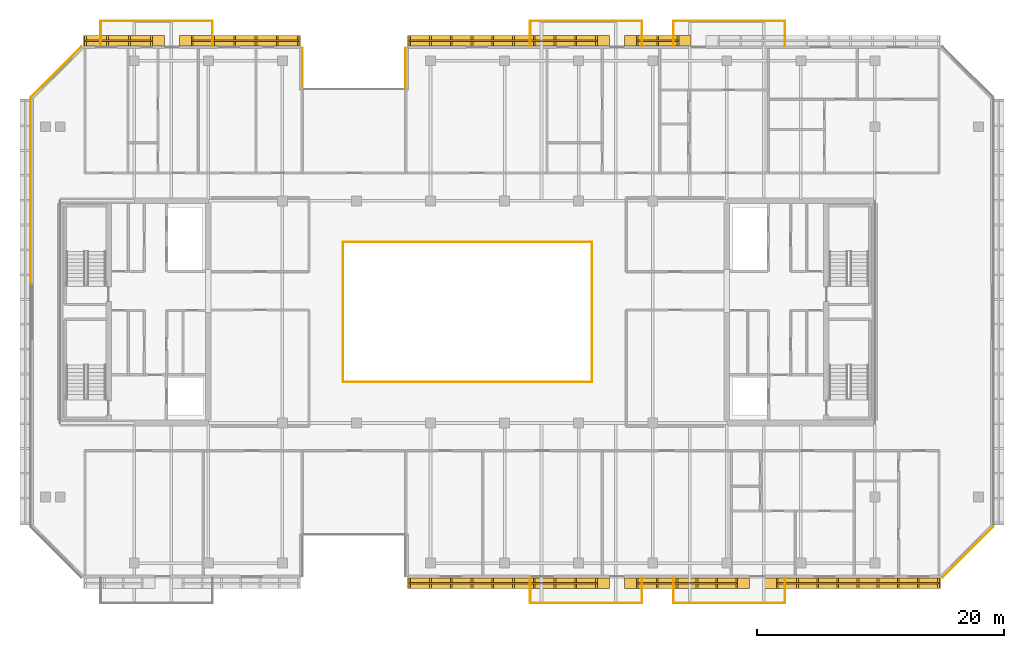
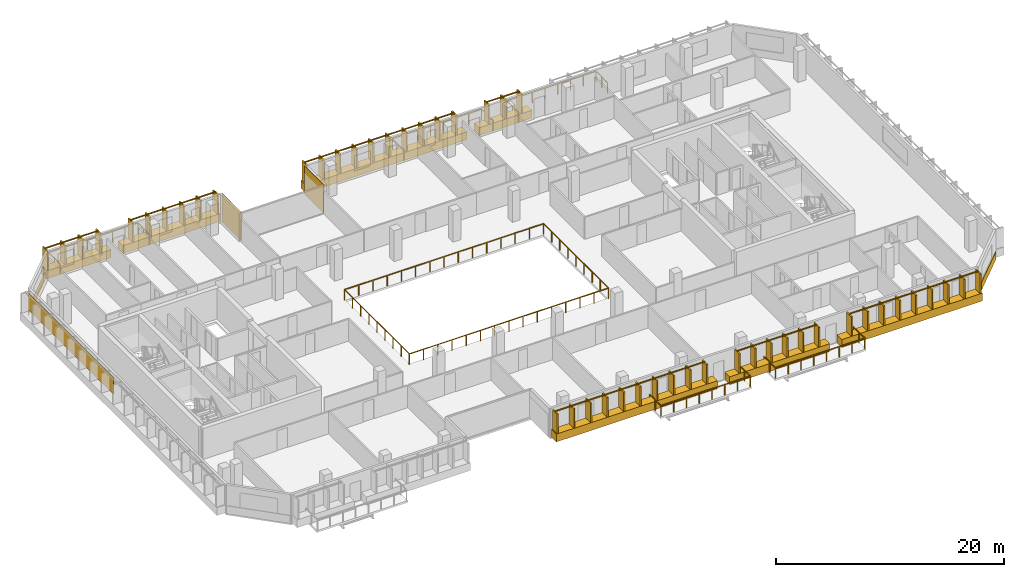
# One storey, part 14 of 16: 14 railings, 12 coverings.
"""IFC4 building model written with IfcOpenShell, lengths in metres."""

import ifcopenshell
import ifcopenshell.guid

model = None  # the IFC model being written
_history = None  # IfcOwnerHistory: only IFC2X3 demands one
_inside = {}  # id of a spatial element -> (the spatial element, [elements in it])
_under = {}  # id of a project, library or spatial element -> (it, [spatial elements below it])
_declared = {}  # id of a project -> (the project, [libraries it declares])
_typed = {}  # id of a type object -> (the type object, [elements of that type])
_made_of = {}  # id of a material, layer set ... -> (it, [elements and type objects made of it])


def new_model(schema):
    """Start an empty IFC model of exactly this schema.

    Asked for "IFC4X3", IfcOpenShell would pick the latest addendum, in which some entities
    have other attributes; the version numbers below select the first issue.
    IFC2X3 requires an IfcOwnerHistory on every rooted entity: one is made here for all.
    """
    global model, _history
    if schema == "IFC4X3":
        model = ifcopenshell.file(schema_version=(4, 3, 0, 0))
    else:
        model = ifcopenshell.file(schema=schema)
    _inside.clear()
    _under.clear()
    _declared.clear()
    _typed.clear()
    _made_of.clear()
    _history = None
    if model.schema == "IFC2X3":
        org = make("IfcOrganization", Name="unknown")
        user = make(
            "IfcPersonAndOrganization",
            ThePerson=make("IfcPerson", FamilyName="unknown"),
            TheOrganization=org,
        )
        app = make(
            "IfcApplication",
            ApplicationDeveloper=org,
            Version="unknown",
            ApplicationFullName="unknown",
            ApplicationIdentifier="unknown",
        )
        _history = make(
            "IfcOwnerHistory",
            OwningUser=user,
            OwningApplication=app,
            ChangeAction="ADDED",
            CreationDate=0,
        )
    return model


def make(cls, **values):
    """One entity of the class cls with the attributes given. An attribute that is None is left unset."""
    return model.create_entity(
        cls, **{name: value for name, value in values.items() if value is not None}
    )


def rooted(cls, **values):
    """An entity with a GlobalId (a new one), such as an element, a storey or a relation."""
    return make(cls, GlobalId=ifcopenshell.guid.new(), OwnerHistory=_history, **values)


def si_unit(unit_type, name, prefix=None):
    """IfcSIUnit, for example si_unit("LENGTHUNIT", "METRE", prefix="MILLI")."""
    return make("IfcSIUnit", UnitType=unit_type, Prefix=prefix, Name=name)


def assignment(units):
    """IfcUnitAssignment: the units of a project."""
    return None if units is None else make("IfcUnitAssignment", Units=units)


def point(xyz):
    """IfcCartesianPoint."""
    return None if xyz is None else make("IfcCartesianPoint", Coordinates=xyz)


def direction(xyz):
    """IfcDirection."""
    return None if xyz is None else make("IfcDirection", DirectionRatios=xyz)


def frame(location, z_axis=None, x_axis=None):
    """IfcAxis2Placement3D, a coordinate frame: its origin and axes. An axis left out is left unset."""
    return make(
        "IfcAxis2Placement3D",
        Location=point(location),
        Axis=direction(z_axis),
        RefDirection=direction(x_axis),
    )


def frame_2d(location, x_axis=None):
    """IfcAxis2Placement2D, a coordinate frame in the plane: its origin and x axis."""
    return make(
        "IfcAxis2Placement2D", Location=point(location), RefDirection=direction(x_axis)
    )


def origin():
    """The frame at (0, 0, 0) with its axes left unset."""
    return frame((0.0, 0.0, 0.0))


def origin_2d():
    """The frame at (0, 0) in the plane with its x axis left unset."""
    return frame_2d((0.0, 0.0))


def place(relative_to, where):
    """IfcLocalPlacement: puts the frame where relative to a parent placement (None: the world)."""
    return make(
        "IfcLocalPlacement", PlacementRelTo=relative_to, RelativePlacement=where
    )


def context(
    kind, dimensions, precision=None, world=None, true_north=None, identifier=None
):
    """IfcGeometricRepresentationContext, for example the 3D "Model" context."""
    return make(
        "IfcGeometricRepresentationContext",
        ContextIdentifier=identifier,
        ContextType=kind,
        CoordinateSpaceDimension=dimensions,
        Precision=precision,
        WorldCoordinateSystem=world,
        TrueNorth=true_north,
    )


def subcontext(parent, identifier, kind, view, scale=None):
    """IfcGeometricRepresentationSubContext, for example "Body" below "Model"."""
    return make(
        "IfcGeometricRepresentationSubContext",
        ContextIdentifier=identifier,
        ContextType=kind,
        ParentContext=parent,
        TargetScale=scale,
        TargetView=view,
    )


def project(units=None, contexts=None):
    """IfcProject with its units and contexts."""
    return rooted(
        "IfcProject",
        Name="project",
        RepresentationContexts=contexts,
        UnitsInContext=assignment(units),
    )


def spatial(cls, under=None, at=None, **own):
    """A site, building, storey or space (cls), placed at a placement, below another one or the project."""
    s = rooted(cls, ObjectPlacement=at, **own)
    if under is not None:
        _under.setdefault(under.id(), (under, []))[1].append(s)
    return s


def profile(cls, at=None, kind="AREA", **sizes):
    """A parametric profile (cls). Its sizes go by their IFC names, for example OverallWidth=200.0."""
    return make(cls, ProfileType=kind, Position=at, **sizes)


def rectangle(**sizes):
    """IfcRectangleProfileDef."""
    return profile("IfcRectangleProfileDef", **sizes)


def extrude(swept, where, along, depth):
    """IfcExtrudedAreaSolid: the profile swept, set in the frame where, extruded along a direction by depth."""
    return make(
        "IfcExtrudedAreaSolid",
        SweptArea=swept,
        Position=where,
        ExtrudedDirection=direction(along),
        Depth=depth,
    )


def shape(context_of_items, identifier, shape_type, items):
    """IfcShapeRepresentation: the items that make up one representation, for example the "Body"."""
    return make(
        "IfcShapeRepresentation",
        ContextOfItems=context_of_items,
        RepresentationIdentifier=identifier,
        RepresentationType=shape_type,
        Items=items,
    )


def material(Name=None, Category=None):
    """IfcMaterial."""
    return make("IfcMaterial", Name=Name, Category=Category)


def layer(
    of_material, thickness, ventilated=None, Name=None, Category=None, Priority=None
):
    """IfcMaterialLayer: one layer of a wall or slab, of a material (None: an air gap)."""
    return make(
        "IfcMaterialLayer",
        Material=of_material,
        LayerThickness=thickness,
        IsVentilated=ventilated,
        Name=Name,
        Category=Category,
        Priority=Priority,
    )


def layer_set(layers, Name=None):
    """IfcMaterialLayerSet."""
    return make("IfcMaterialLayerSet", MaterialLayers=layers, LayerSetName=Name)


def made_of(thing, what):
    """Note that an element or type object is made of a material, layer set ...; save() writes the relation."""
    if what is not None:
        _made_of.setdefault(what.id(), (what, []))[1].append(thing)
    return thing


def type_object(cls, material=None, **own):
    """A type object (cls), such as IfcWallType, which elements share."""
    return made_of(rooted(cls, **own), material)


def element(
    cls,
    number,
    at=None,
    inside=None,
    cuts=None,
    type_object=None,
    material=None,
    context=None,
    identifier="Body",
    shape_type=None,
    held_by="IfcProductDefinitionShape",
    body=None,
    shapes=None,
    **own,
):
    """One element of the class cls, such as IfcWall. Its Tag is "e" and its number.

    at: its placement. inside: the storey or other place that contains it. cuts: it is an
    opening in that element (IfcRelVoidsElement). A single representation is given by context,
    identifier, shape_type and body (its items); several are given by shapes. held_by: the class
    of the entity that holds the representations. save() writes the other relations.
    """
    e = rooted(cls, Tag="e%d" % number, ObjectPlacement=at, **own)
    if body is not None:
        shapes = [shape(context, identifier, shape_type, body)]
    if shapes is not None:
        e.Representation = make(held_by, Representations=shapes)
    if inside is not None:
        _inside.setdefault(inside.id(), (inside, []))[1].append(e)
    if cuts is not None:
        rooted(
            "IfcRelVoidsElement", RelatingBuildingElement=cuts, RelatedOpeningElement=e
        )
    if type_object is not None:
        _typed.setdefault(type_object.id(), (type_object, []))[1].append(e)
    return made_of(e, material)


def aggregate(whole, parts):
    """IfcRelAggregates: a whole, such as a stair, and the parts it consists of."""
    return rooted("IfcRelAggregates", RelatingObject=whole, RelatedObjects=parts)


def save(model, path):
    """Write the relations noted so far, then the file.

    IfcRelAggregates (storeys below a building ...), IfcRelContainedInSpatialStructure (elements
    in a storey), IfcRelDefinesByType, IfcRelAssociatesMaterial and IfcRelDeclares: one each for
    every whole, place, type object, material and project.
    """
    for whole, parts in _under.values():
        aggregate(whole, parts)
    for where, things in _inside.values():
        rooted(
            "IfcRelContainedInSpatialStructure",
            RelatedElements=things,
            RelatingStructure=where,
        )
    for kind, things in _typed.values():
        rooted("IfcRelDefinesByType", RelatedObjects=things, RelatingType=kind)
    for what, things in _made_of.values():
        rooted("IfcRelAssociatesMaterial", RelatedObjects=things, RelatingMaterial=what)
    for by, libraries in _declared.values():
        rooted("IfcRelDeclares", RelatingContext=by, RelatedDefinitions=libraries)
    model.write(path)


model = new_model("IFC4")

# Units and contexts
model_context = context("Model", 3, precision=1e-05, world=origin(), true_north=direction((0.0, 1.0)))
body_context = subcontext(model_context, "Body", "Model", "MODEL_VIEW")
ifc_project = project(units=[si_unit("LENGTHUNIT", "METRE"), si_unit("AREAUNIT", "SQUARE_METRE"), si_unit("VOLUMEUNIT", "CUBIC_METRE"), si_unit("PLANEANGLEUNIT", "RADIAN"), si_unit("MASSUNIT", "GRAM", prefix="KILO")], contexts=[model_context])

# Site, building, storey
site_placement = place(None, origin())
site = spatial("IfcSite", under=ifc_project, at=site_placement, CompositionType="ELEMENT")
building_placement = place(site_placement, origin())
building = spatial("IfcBuilding", under=site, at=building_placement, Name="Tanjung Sevakor Pilgrim Tower", CompositionType="ELEMENT")
storey_placement = place(building_placement, frame((0.0, 0.0, 191.72998046875)))
storey = spatial("IfcBuildingStorey", under=building, at=storey_placement, Name="L53", CompositionType="ELEMENT", Elevation=191.72998046875)

# Coverings
ifc_material_1 = material(Name="Reconstructed Limestone Cladding", Category="masonry")
ifc_layer = layer(ifc_material_1, 0.044921875)
ifc_layer_set = layer_set([ifc_layer], Name="COV-CLAD-LIMESTONE")
covering_type = type_object("IfcCoveringType", Name="COV-CLAD-LIMESTONE", PredefinedType="CLADDING", material=ifc_layer_set)
covering_1_placement = place(storey_placement, frame((60.320068359375, 11.6201171875, 0.009765625), z_axis=(0.0, 0.0, 1.0), x_axis=(1.0, 0.0, 0.0)))
element("IfcCovering", 1, at=covering_1_placement, inside=storey, type_object=covering_type, Name="L53 Warm Limestone Sill Spandrel EW-L53-MAIN-5-1", PredefinedType="CLADDING", context=body_context, shape_type="SweptSolid", body=[
    extrude(rectangle(XDim=16.340087890625, YDim=0.860107421875, at=origin_2d()), origin(), (0.0, 0.0, 1.0), 0.840087890625),
])
covering_2_placement = place(storey_placement, frame((74.77490234375, 11.6201171875, 0.009765625), z_axis=(0.0, 0.0, 1.0), x_axis=(1.0, 0.0, 0.0)))
element("IfcCovering", 2, at=covering_2_placement, inside=storey, type_object=covering_type, Name="L53 Warm Limestone Sill Spandrel EW-L53-MAIN-5-2", PredefinedType="CLADDING", context=body_context, shape_type="SweptSolid", body=[
    extrude(rectangle(XDim=10.1298828125, YDim=0.860107421875, at=origin_2d()), origin(), (0.0, 0.0, 1.0), 0.840087890625),
])
covering_3_placement = place(storey_placement, frame((88.187255859375, 11.6201171875, 0.009765625), z_axis=(0.0, 0.0, 1.0), x_axis=(1.0, 0.0, 0.0)))
element("IfcCovering", 3, at=covering_3_placement, inside=storey, type_object=covering_type, Name="L53 Warm Limestone Sill Spandrel EW-L53-MAIN-5-3", PredefinedType="CLADDING", context=body_context, shape_type="SweptSolid", body=[
    extrude(rectangle(XDim=14.25439453125, YDim=0.860107421875, at=origin_2d()), origin(), (0.0, 0.0, 1.0), 0.840087890625),
])
covering_4_placement = place(storey_placement, frame((97.515869140625, 14.134033203125, 0.009765625), z_axis=(0.0, 0.0, 1.0), x_axis=(0.707106781187, 0.707106781187, 0.0)))
element("IfcCovering", 4, at=covering_4_placement, inside=storey, type_object=covering_type, Name="L53 Warm Limestone Sill Spandrel EW-CHM-L53-MAIN-5-1", PredefinedType="CLADDING", context=body_context, shape_type="SweptSolid", body=[
    extrude(rectangle(XDim=5.7685546875, YDim=0.044921875, at=origin_2d()), origin(), (0.0, 0.0, 1.0), 0.840087890625),
])
covering_5_placement = place(storey_placement, frame((72.39990234375, 55.580078125, 0.009765625), z_axis=(0.0, 0.0, 1.0), x_axis=(-1.0, 0.0, 0.0)))
element("IfcCovering", 5, at=covering_5_placement, inside=storey, type_object=covering_type, Name="L53 Warm Limestone Sill Spandrel EW-L53-MAIN-9-2", PredefinedType="CLADDING", context=body_context, shape_type="SweptSolid", body=[
    extrude(rectangle(XDim=5.3798828125, YDim=0.860107421875, at=origin_2d()), origin(), (0.0, 0.0, 1.0), 0.840087890625),
])
covering_6_placement = place(storey_placement, frame((60.320068359375, 55.580078125, 0.009765625), z_axis=(0.0, 0.0, 1.0), x_axis=(-1.0, 0.0, 0.0)))
element("IfcCovering", 6, at=covering_6_placement, inside=storey, type_object=covering_type, Name="L53 Warm Limestone Sill Spandrel EW-L53-MAIN-9-3", PredefinedType="CLADDING", context=body_context, shape_type="SweptSolid", body=[
    extrude(rectangle(XDim=16.340087890625, YDim=0.860107421875, at=origin_2d()), origin(), (0.0, 0.0, 1.0), 0.840087890625),
])
for number, where, z_axis, x_axis, name in (
    (7, (51.9775390625, 53.340087890625, 0.02001953125), (0.0, 0.0, 1.0), (0.0, -1.0, 0.0), "L53 Warm Limestone Wall Cladding EW-L53-MAIN-10"),
    (8, (43.62255859375, 53.340087890625, 0.02001953125), (0.0, 0.0, 1.0), (0.0, 1.0, 0.0), "L53 Warm Limestone Wall Cladding EW-L53-MAIN-12"),
):
    element("IfcCovering", number, at=place(storey_placement, frame(where, z_axis=z_axis, x_axis=x_axis)), inside=storey, type_object=covering_type, Name=name, PredefinedType="CLADDING", context=body_context, shape_type="SweptSolid", body=[
        extrude(rectangle(XDim=3.360107421875, YDim=0.044921875, at=origin_2d()), origin(), (0.0, 0.0, 1.0), 3.0400390625),
    ])
covering_7_placement = place(storey_placement, frame((38.554931640625, 55.580078125, 0.009765625), z_axis=(0.0, 0.0, 1.0), x_axis=(-1.0, 0.0, 0.0)))
element("IfcCovering", 9, at=covering_7_placement, inside=storey, type_object=covering_type, Name="L53 Warm Limestone Sill Spandrel EW-L53-MAIN-13-1", PredefinedType="CLADDING", context=body_context, shape_type="SweptSolid", body=[
    extrude(rectangle(XDim=9.7900390625, YDim=0.860107421875, at=origin_2d()), origin(), (0.0, 0.0, 1.0), 0.840087890625),
])
covering_8_placement = place(storey_placement, frame((29.162841796875, 55.580078125, 0.009765625), z_axis=(0.0, 0.0, 1.0), x_axis=(-1.0, 0.0, 0.0)))
element("IfcCovering", 10, at=covering_8_placement, inside=storey, type_object=covering_type, Name="L53 Warm Limestone Sill Spandrel EW-L53-MAIN-13-2", PredefinedType="CLADDING", context=body_context, shape_type="SweptSolid", body=[
    extrude(rectangle(XDim=6.554443359375, YDim=0.860107421875, at=origin_2d()), origin(), (0.0, 0.0, 1.0), 0.840087890625),
])
covering_9_placement = place(storey_placement, frame((23.68408203125, 53.06591796875, 0.009765625), z_axis=(0.0, 0.0, 1.0), x_axis=(-0.707106781187, -0.707106781187, 0.0)))
element("IfcCovering", 11, at=covering_9_placement, inside=storey, type_object=covering_type, Name="L53 Warm Limestone Sill Spandrel EW-CHM-L53-MAIN-13-1", PredefinedType="CLADDING", context=body_context, shape_type="SweptSolid", body=[
    extrude(rectangle(XDim=5.7685546875, YDim=0.044921875, at=origin_2d()), origin(), (0.0, 0.0, 1.0), 0.840087890625),
])
covering_10_placement = place(storey_placement, frame((21.577392578125, 43.357177734375, 0.85009765625), z_axis=(0.0, 0.0, 1.0), x_axis=(0.0, -1.0, 0.0)))
element("IfcCovering", 12, at=covering_10_placement, inside=storey, type_object=covering_type, Name="L53 Warm Limestone Pier Panel EW-L53-MAIN-15-1", PredefinedType="CLADDING", context=body_context, shape_type="SweptSolid", body=[
    extrude(rectangle(XDim=15.014404296875, YDim=0.044921875, at=origin_2d()), origin(), (0.0, 0.0, 1.0), 1.81005859375),
])

# Railings
ifc_material_2 = material(Name="Laminated Glass and Aluminium", Category="aluminium")
railing_type_1 = type_object("IfcRailingType", Name="RL-BAL-BALUST", PredefinedType="BALUSTRADE", material=ifc_material_2)
railing_1_placement = place(storey_placement, frame((46.919921875, 27.919921875, 0.0)))
element("IfcRailing", 13, at=railing_1_placement, inside=storey, type_object=railing_type_1, Name="L53 Void Opening Balustrade 1A", PredefinedType="BALUSTRADE", context=body_context, shape_type="SweptSolid", body=[
    extrude(rectangle(XDim=0.0479, YDim=0.0479), frame((0.0, 0.0, 1.1259765625), z_axis=(1.0, 0.0, 0.0), x_axis=(0.0, 1.0, 0.0)), (0.0, 0.0, 1.0), 20.16015625),
    extrude(rectangle(XDim=0.0479, YDim=0.0479), frame((20.16015625, 0.0, 1.1259765625), z_axis=(0.0, 1.0, 0.0), x_axis=(-1.0, 0.0, 0.0)), (0.0, 0.0, 1.0), 11.360107421875),
    extrude(rectangle(XDim=0.042, YDim=0.042), origin(), (0.0, 0.0, 1.0), 1.101806640625),
    extrude(rectangle(XDim=0.042, YDim=0.042), frame((1.43994140625, 0.0, 0.0)), (0.0, 0.0, 1.0), 1.101806640625),
    extrude(rectangle(XDim=0.042, YDim=0.042), frame((2.880126953125, 0.0, 0.0)), (0.0, 0.0, 1.0), 1.101806640625),
    extrude(rectangle(XDim=0.042, YDim=0.042), frame((4.320068359375, 0.0, 0.0)), (0.0, 0.0, 1.0), 1.101806640625),
    extrude(rectangle(XDim=0.042, YDim=0.042), frame((5.760009765625, 0.0, 0.0)), (0.0, 0.0, 1.0), 1.101806640625),
    extrude(rectangle(XDim=0.042, YDim=0.042), frame((7.199951171875, 0.0, 0.0)), (0.0, 0.0, 1.0), 1.101806640625),
    extrude(rectangle(XDim=0.042, YDim=0.042), frame((8.64013671875, 0.0, 0.0)), (0.0, 0.0, 1.0), 1.101806640625),
    extrude(rectangle(XDim=0.042, YDim=0.042), frame((10.080078125, 0.0, 0.0)), (0.0, 0.0, 1.0), 1.101806640625),
    extrude(rectangle(XDim=0.042, YDim=0.042), frame((11.52001953125, 0.0, 0.0)), (0.0, 0.0, 1.0), 1.101806640625),
    extrude(rectangle(XDim=0.042, YDim=0.042), frame((12.960205078125, 0.0, 0.0)), (0.0, 0.0, 1.0), 1.101806640625),
    extrude(rectangle(XDim=0.042, YDim=0.042), frame((14.400146484375, 0.0, 0.0)), (0.0, 0.0, 1.0), 1.101806640625),
    extrude(rectangle(XDim=0.042, YDim=0.042), frame((15.840087890625, 0.0, 0.0)), (0.0, 0.0, 1.0), 1.101806640625),
    extrude(rectangle(XDim=0.042, YDim=0.042), frame((17.280029296875, 0.0, 0.0)), (0.0, 0.0, 1.0), 1.101806640625),
    extrude(rectangle(XDim=0.042, YDim=0.042), frame((18.72021484375, 0.0, 0.0)), (0.0, 0.0, 1.0), 1.101806640625),
    extrude(rectangle(XDim=0.042, YDim=0.042), frame((20.16015625, 0.0, 0.0)), (0.0, 0.0, 1.0), 1.101806640625),
    extrude(rectangle(XDim=0.042, YDim=0.042), frame((20.16015625, 1.419921875, 0.0)), (0.0, 0.0, 1.0), 1.101806640625),
    extrude(rectangle(XDim=0.042, YDim=0.042), frame((20.16015625, 2.840087890625, 0.0)), (0.0, 0.0, 1.0), 1.101806640625),
    extrude(rectangle(XDim=0.042, YDim=0.042), frame((20.16015625, 4.260009765625, 0.0)), (0.0, 0.0, 1.0), 1.101806640625),
    extrude(rectangle(XDim=0.042, YDim=0.042), frame((20.16015625, 5.68017578125, 0.0)), (0.0, 0.0, 1.0), 1.101806640625),
    extrude(rectangle(XDim=0.042, YDim=0.042), frame((20.16015625, 7.10009765625, 0.0)), (0.0, 0.0, 1.0), 1.101806640625),
    extrude(rectangle(XDim=0.042, YDim=0.042), frame((20.16015625, 8.52001953125, 0.0)), (0.0, 0.0, 1.0), 1.101806640625),
    extrude(rectangle(XDim=0.042, YDim=0.042), frame((20.16015625, 9.940185546875, 0.0)), (0.0, 0.0, 1.0), 1.101806640625),
    extrude(rectangle(XDim=0.042, YDim=0.042), frame((20.16015625, 11.360107421875, 0.0)), (0.0, 0.0, 1.0), 1.101806640625),
])
railing_2_placement = place(storey_placement, frame((67.080078125, 39.280029296875, 0.0)))
element("IfcRailing", 14, at=railing_2_placement, inside=storey, type_object=railing_type_1, Name="L53 Void Opening Balustrade 1B", PredefinedType="BALUSTRADE", context=body_context, shape_type="SweptSolid", body=[
    extrude(rectangle(XDim=0.0479, YDim=0.0479), frame((0.0, 0.0, 1.1259765625), z_axis=(-1.0, 0.0, 0.0), x_axis=(0.0, -1.0, 0.0)), (0.0, 0.0, 1.0), 20.16015625),
    extrude(rectangle(XDim=0.0479, YDim=0.0479), frame((-20.16015625, 0.0, 1.1259765625), z_axis=(0.0, -1.0, 0.0), x_axis=(1.0, 0.0, 0.0)), (0.0, 0.0, 1.0), 11.360107421875),
    extrude(rectangle(XDim=0.042, YDim=0.042), origin(), (0.0, 0.0, 1.0), 1.101806640625),
    extrude(rectangle(XDim=0.042, YDim=0.042), frame((-1.43994140625, 0.0, 0.0)), (0.0, 0.0, 1.0), 1.101806640625),
    extrude(rectangle(XDim=0.042, YDim=0.042), frame((-2.880126953125, 0.0, 0.0)), (0.0, 0.0, 1.0), 1.101806640625),
    extrude(rectangle(XDim=0.042, YDim=0.042), frame((-4.320068359375, 0.0, 0.0)), (0.0, 0.0, 1.0), 1.101806640625),
    extrude(rectangle(XDim=0.042, YDim=0.042), frame((-5.760009765625, 0.0, 0.0)), (0.0, 0.0, 1.0), 1.101806640625),
    extrude(rectangle(XDim=0.042, YDim=0.042), frame((-7.199951171875, 0.0, 0.0)), (0.0, 0.0, 1.0), 1.101806640625),
    extrude(rectangle(XDim=0.042, YDim=0.042), frame((-8.64013671875, 0.0, 0.0)), (0.0, 0.0, 1.0), 1.101806640625),
    extrude(rectangle(XDim=0.042, YDim=0.042), frame((-10.080078125, 0.0, 0.0)), (0.0, 0.0, 1.0), 1.101806640625),
    extrude(rectangle(XDim=0.042, YDim=0.042), frame((-11.52001953125, 0.0, 0.0)), (0.0, 0.0, 1.0), 1.101806640625),
    extrude(rectangle(XDim=0.042, YDim=0.042), frame((-12.960205078125, 0.0, 0.0)), (0.0, 0.0, 1.0), 1.101806640625),
    extrude(rectangle(XDim=0.042, YDim=0.042), frame((-14.400146484375, 0.0, 0.0)), (0.0, 0.0, 1.0), 1.101806640625),
    extrude(rectangle(XDim=0.042, YDim=0.042), frame((-15.840087890625, 0.0, 0.0)), (0.0, 0.0, 1.0), 1.101806640625),
    extrude(rectangle(XDim=0.042, YDim=0.042), frame((-17.280029296875, 0.0, 0.0)), (0.0, 0.0, 1.0), 1.101806640625),
    extrude(rectangle(XDim=0.042, YDim=0.042), frame((-18.72021484375, 0.0, 0.0)), (0.0, 0.0, 1.0), 1.101806640625),
    extrude(rectangle(XDim=0.042, YDim=0.042), frame((-20.16015625, 0.0, 0.0)), (0.0, 0.0, 1.0), 1.101806640625),
    extrude(rectangle(XDim=0.042, YDim=0.042), frame((-20.16015625, -1.419921875, 0.0)), (0.0, 0.0, 1.0), 1.101806640625),
    extrude(rectangle(XDim=0.042, YDim=0.042), frame((-20.16015625, -2.840087890625, 0.0)), (0.0, 0.0, 1.0), 1.101806640625),
    extrude(rectangle(XDim=0.042, YDim=0.042), frame((-20.16015625, -4.260009765625, 0.0)), (0.0, 0.0, 1.0), 1.101806640625),
    extrude(rectangle(XDim=0.042, YDim=0.042), frame((-20.16015625, -5.68017578125, 0.0)), (0.0, 0.0, 1.0), 1.101806640625),
    extrude(rectangle(XDim=0.042, YDim=0.042), frame((-20.16015625, -7.10009765625, 0.0)), (0.0, 0.0, 1.0), 1.101806640625),
    extrude(rectangle(XDim=0.042, YDim=0.042), frame((-20.16015625, -8.52001953125, 0.0)), (0.0, 0.0, 1.0), 1.101806640625),
    extrude(rectangle(XDim=0.042, YDim=0.042), frame((-20.16015625, -9.940185546875, 0.0)), (0.0, 0.0, 1.0), 1.101806640625),
    extrude(rectangle(XDim=0.042, YDim=0.042), frame((-20.16015625, -11.360107421875, 0.0)), (0.0, 0.0, 1.0), 1.101806640625),
])
railing_3_placement = place(storey_placement, frame((27.280029296875, 55.14990234375, 0.0)))
element("IfcRailing", 15, at=railing_3_placement, inside=storey, type_object=railing_type_1, Name="L53 Loggia Balustrade MAIN-N1", PredefinedType="BALUSTRADE", context=body_context, shape_type="SweptSolid", body=[
    extrude(rectangle(XDim=0.0479, YDim=0.0479), frame((0.0, 0.0, 1.1259765625), z_axis=(0.0, 1.0, 0.0), x_axis=(-1.0, 0.0, 0.0)), (0.0, 0.0, 1.0), 2.02001953125),
    extrude(rectangle(XDim=0.0479, YDim=0.0479), frame((0.0, 2.02001953125, 1.1259765625), z_axis=(1.0, 0.0, 0.0), x_axis=(0.0, 1.0, 0.0)), (0.0, 0.0, 1.0), 9.0400390625),
    extrude(rectangle(XDim=0.0479, YDim=0.0479), frame((9.0400390625, 2.02001953125, 1.1259765625), z_axis=(0.0, -1.0, 0.0), x_axis=(1.0, 0.0, 0.0)), (0.0, 0.0, 1.0), 2.02001953125),
    extrude(rectangle(XDim=0.042, YDim=0.042), origin(), (0.0, 0.0, 1.0), 1.101806640625),
    extrude(rectangle(XDim=0.042, YDim=0.042), frame((0.0, 1.010009765625, 0.0)), (0.0, 0.0, 1.0), 1.101806640625),
    extrude(rectangle(XDim=0.042, YDim=0.042), frame((0.0, 2.02001953125, 0.0)), (0.0, 0.0, 1.0), 1.101806640625),
    extrude(rectangle(XDim=0.042, YDim=0.042), frame((1.29150390625, 2.02001953125, 0.0)), (0.0, 0.0, 1.0), 1.101806640625),
    extrude(rectangle(XDim=0.042, YDim=0.042), frame((2.582763671875, 2.02001953125, 0.0)), (0.0, 0.0, 1.0), 1.101806640625),
    extrude(rectangle(XDim=0.042, YDim=0.042), frame((3.874267578125, 2.02001953125, 0.0)), (0.0, 0.0, 1.0), 1.101806640625),
    extrude(rectangle(XDim=0.042, YDim=0.042), frame((5.165771484375, 2.02001953125, 0.0)), (0.0, 0.0, 1.0), 1.101806640625),
    extrude(rectangle(XDim=0.042, YDim=0.042), frame((6.457275390625, 2.02001953125, 0.0)), (0.0, 0.0, 1.0), 1.101806640625),
    extrude(rectangle(XDim=0.042, YDim=0.042), frame((7.74853515625, 2.02001953125, 0.0)), (0.0, 0.0, 1.0), 1.101806640625),
    extrude(rectangle(XDim=0.042, YDim=0.042), frame((9.0400390625, 2.02001953125, 0.0)), (0.0, 0.0, 1.0), 1.101806640625),
    extrude(rectangle(XDim=0.042, YDim=0.042), frame((9.0400390625, 1.010009765625, 0.0)), (0.0, 0.0, 1.0), 1.101806640625),
    extrude(rectangle(XDim=0.042, YDim=0.042), frame((9.0400390625, 0.0, 0.0)), (0.0, 0.0, 1.0), 1.101806640625),
])
railing_4_placement = place(storey_placement, frame((62.080078125, 12.050048828125, 0.0)))
element("IfcRailing", 16, at=railing_4_placement, inside=storey, type_object=railing_type_1, Name="L53 Loggia Balustrade MAIN-S2", PredefinedType="BALUSTRADE", context=body_context, shape_type="SweptSolid", body=[
    extrude(rectangle(XDim=0.0479, YDim=0.0479), frame((0.0, 0.0, 1.1259765625), z_axis=(0.0, -1.0, 0.0), x_axis=(1.0, 0.0, 0.0)), (0.0, 0.0, 1.0), 2.02001953125),
    extrude(rectangle(XDim=0.0479, YDim=0.0479), frame((0.0, -2.02001953125, 1.1259765625), z_axis=(1.0, 0.0, 0.0), x_axis=(0.0, 1.0, 0.0)), (0.0, 0.0, 1.0), 9.0400390625),
    extrude(rectangle(XDim=0.0479, YDim=0.0479), frame((9.0400390625, -2.02001953125, 1.1259765625), z_axis=(0.0, 1.0, 0.0), x_axis=(-1.0, 0.0, 0.0)), (0.0, 0.0, 1.0), 2.02001953125),
    extrude(rectangle(XDim=0.042, YDim=0.042), origin(), (0.0, 0.0, 1.0), 1.101806640625),
    extrude(rectangle(XDim=0.042, YDim=0.042), frame((0.0, -1.010009765625, 0.0)), (0.0, 0.0, 1.0), 1.101806640625),
    extrude(rectangle(XDim=0.042, YDim=0.042), frame((0.0, -2.02001953125, 0.0)), (0.0, 0.0, 1.0), 1.101806640625),
    extrude(rectangle(XDim=0.042, YDim=0.042), frame((1.29150390625, -2.02001953125, 0.0)), (0.0, 0.0, 1.0), 1.101806640625),
    extrude(rectangle(XDim=0.042, YDim=0.042), frame((2.582763671875, -2.02001953125, 0.0)), (0.0, 0.0, 1.0), 1.101806640625),
    extrude(rectangle(XDim=0.042, YDim=0.042), frame((3.874267578125, -2.02001953125, 0.0)), (0.0, 0.0, 1.0), 1.101806640625),
    extrude(rectangle(XDim=0.042, YDim=0.042), frame((5.165771484375, -2.02001953125, 0.0)), (0.0, 0.0, 1.0), 1.101806640625),
    extrude(rectangle(XDim=0.042, YDim=0.042), frame((6.457275390625, -2.02001953125, 0.0)), (0.0, 0.0, 1.0), 1.101806640625),
    extrude(rectangle(XDim=0.042, YDim=0.042), frame((7.74853515625, -2.02001953125, 0.0)), (0.0, 0.0, 1.0), 1.101806640625),
    extrude(rectangle(XDim=0.042, YDim=0.042), frame((9.0400390625, -2.02001953125, 0.0)), (0.0, 0.0, 1.0), 1.101806640625),
    extrude(rectangle(XDim=0.042, YDim=0.042), frame((9.0400390625, -1.010009765625, 0.0)), (0.0, 0.0, 1.0), 1.101806640625),
    extrude(rectangle(XDim=0.042, YDim=0.042), frame((9.0400390625, 0.0, 0.0)), (0.0, 0.0, 1.0), 1.101806640625),
])
railing_5_placement = place(storey_placement, frame((62.080078125, 55.14990234375, 0.0)))
element("IfcRailing", 17, at=railing_5_placement, inside=storey, type_object=railing_type_1, Name="L53 Loggia Balustrade MAIN-N2", PredefinedType="BALUSTRADE", context=body_context, shape_type="SweptSolid", body=[
    extrude(rectangle(XDim=0.0479, YDim=0.0479), frame((0.0, 0.0, 1.1259765625), z_axis=(0.0, 1.0, 0.0), x_axis=(-1.0, 0.0, 0.0)), (0.0, 0.0, 1.0), 2.02001953125),
    extrude(rectangle(XDim=0.0479, YDim=0.0479), frame((0.0, 2.02001953125, 1.1259765625), z_axis=(1.0, 0.0, 0.0), x_axis=(0.0, 1.0, 0.0)), (0.0, 0.0, 1.0), 9.0400390625),
    extrude(rectangle(XDim=0.0479, YDim=0.0479), frame((9.0400390625, 2.02001953125, 1.1259765625), z_axis=(0.0, -1.0, 0.0), x_axis=(1.0, 0.0, 0.0)), (0.0, 0.0, 1.0), 2.02001953125),
    extrude(rectangle(XDim=0.042, YDim=0.042), origin(), (0.0, 0.0, 1.0), 1.101806640625),
    extrude(rectangle(XDim=0.042, YDim=0.042), frame((0.0, 1.010009765625, 0.0)), (0.0, 0.0, 1.0), 1.101806640625),
    extrude(rectangle(XDim=0.042, YDim=0.042), frame((0.0, 2.02001953125, 0.0)), (0.0, 0.0, 1.0), 1.101806640625),
    extrude(rectangle(XDim=0.042, YDim=0.042), frame((1.29150390625, 2.02001953125, 0.0)), (0.0, 0.0, 1.0), 1.101806640625),
    extrude(rectangle(XDim=0.042, YDim=0.042), frame((2.582763671875, 2.02001953125, 0.0)), (0.0, 0.0, 1.0), 1.101806640625),
    extrude(rectangle(XDim=0.042, YDim=0.042), frame((3.874267578125, 2.02001953125, 0.0)), (0.0, 0.0, 1.0), 1.101806640625),
    extrude(rectangle(XDim=0.042, YDim=0.042), frame((5.165771484375, 2.02001953125, 0.0)), (0.0, 0.0, 1.0), 1.101806640625),
    extrude(rectangle(XDim=0.042, YDim=0.042), frame((6.457275390625, 2.02001953125, 0.0)), (0.0, 0.0, 1.0), 1.101806640625),
    extrude(rectangle(XDim=0.042, YDim=0.042), frame((7.74853515625, 2.02001953125, 0.0)), (0.0, 0.0, 1.0), 1.101806640625),
    extrude(rectangle(XDim=0.042, YDim=0.042), frame((9.0400390625, 2.02001953125, 0.0)), (0.0, 0.0, 1.0), 1.101806640625),
    extrude(rectangle(XDim=0.042, YDim=0.042), frame((9.0400390625, 1.010009765625, 0.0)), (0.0, 0.0, 1.0), 1.101806640625),
    extrude(rectangle(XDim=0.042, YDim=0.042), frame((9.0400390625, 0.0, 0.0)), (0.0, 0.0, 1.0), 1.101806640625),
])
railing_6_placement = place(storey_placement, frame((73.679931640625, 12.050048828125, 0.0)))
element("IfcRailing", 18, at=railing_6_placement, inside=storey, type_object=railing_type_1, Name="L53 Loggia Balustrade MAIN-S3", PredefinedType="BALUSTRADE", context=body_context, shape_type="SweptSolid", body=[
    extrude(rectangle(XDim=0.0479, YDim=0.0479), frame((0.0, 0.0, 1.1259765625), z_axis=(0.0, -1.0, 0.0), x_axis=(1.0, 0.0, 0.0)), (0.0, 0.0, 1.0), 2.02001953125),
    extrude(rectangle(XDim=0.0479, YDim=0.0479), frame((0.0, -2.02001953125, 1.1259765625), z_axis=(1.0, 0.0, 0.0), x_axis=(0.0, 1.0, 0.0)), (0.0, 0.0, 1.0), 9.0400390625),
    extrude(rectangle(XDim=0.0479, YDim=0.0479), frame((9.0400390625, -2.02001953125, 1.1259765625), z_axis=(0.0, 1.0, 0.0), x_axis=(-1.0, 0.0, 0.0)), (0.0, 0.0, 1.0), 2.02001953125),
    extrude(rectangle(XDim=0.042, YDim=0.042), origin(), (0.0, 0.0, 1.0), 1.101806640625),
    extrude(rectangle(XDim=0.042, YDim=0.042), frame((0.0, -1.010009765625, 0.0)), (0.0, 0.0, 1.0), 1.101806640625),
    extrude(rectangle(XDim=0.042, YDim=0.042), frame((0.0, -2.02001953125, 0.0)), (0.0, 0.0, 1.0), 1.101806640625),
    extrude(rectangle(XDim=0.042, YDim=0.042), frame((1.29150390625, -2.02001953125, 0.0)), (0.0, 0.0, 1.0), 1.101806640625),
    extrude(rectangle(XDim=0.042, YDim=0.042), frame((2.582763671875, -2.02001953125, 0.0)), (0.0, 0.0, 1.0), 1.101806640625),
    extrude(rectangle(XDim=0.042, YDim=0.042), frame((3.874267578125, -2.02001953125, 0.0)), (0.0, 0.0, 1.0), 1.101806640625),
    extrude(rectangle(XDim=0.042, YDim=0.042), frame((5.165771484375, -2.02001953125, 0.0)), (0.0, 0.0, 1.0), 1.101806640625),
    extrude(rectangle(XDim=0.042, YDim=0.042), frame((6.457275390625, -2.02001953125, 0.0)), (0.0, 0.0, 1.0), 1.101806640625),
    extrude(rectangle(XDim=0.042, YDim=0.042), frame((7.74853515625, -2.02001953125, 0.0)), (0.0, 0.0, 1.0), 1.101806640625),
    extrude(rectangle(XDim=0.042, YDim=0.042), frame((9.0400390625, -2.02001953125, 0.0)), (0.0, 0.0, 1.0), 1.101806640625),
    extrude(rectangle(XDim=0.042, YDim=0.042), frame((9.0400390625, -1.010009765625, 0.0)), (0.0, 0.0, 1.0), 1.101806640625),
    extrude(rectangle(XDim=0.042, YDim=0.042), frame((9.0400390625, 0.0, 0.0)), (0.0, 0.0, 1.0), 1.101806640625),
])
railing_7_placement = place(storey_placement, frame((73.679931640625, 55.14990234375, 0.0)))
element("IfcRailing", 19, at=railing_7_placement, inside=storey, type_object=railing_type_1, Name="L53 Loggia Balustrade MAIN-N3", PredefinedType="BALUSTRADE", context=body_context, shape_type="SweptSolid", body=[
    extrude(rectangle(XDim=0.0479, YDim=0.0479), frame((0.0, 0.0, 1.1259765625), z_axis=(0.0, 1.0, 0.0), x_axis=(-1.0, 0.0, 0.0)), (0.0, 0.0, 1.0), 2.02001953125),
    extrude(rectangle(XDim=0.0479, YDim=0.0479), frame((0.0, 2.02001953125, 1.1259765625), z_axis=(1.0, 0.0, 0.0), x_axis=(0.0, 1.0, 0.0)), (0.0, 0.0, 1.0), 9.0400390625),
    extrude(rectangle(XDim=0.0479, YDim=0.0479), frame((9.0400390625, 2.02001953125, 1.1259765625), z_axis=(0.0, -1.0, 0.0), x_axis=(1.0, 0.0, 0.0)), (0.0, 0.0, 1.0), 2.02001953125),
    extrude(rectangle(XDim=0.042, YDim=0.042), origin(), (0.0, 0.0, 1.0), 1.101806640625),
    extrude(rectangle(XDim=0.042, YDim=0.042), frame((0.0, 1.010009765625, 0.0)), (0.0, 0.0, 1.0), 1.101806640625),
    extrude(rectangle(XDim=0.042, YDim=0.042), frame((0.0, 2.02001953125, 0.0)), (0.0, 0.0, 1.0), 1.101806640625),
    extrude(rectangle(XDim=0.042, YDim=0.042), frame((1.29150390625, 2.02001953125, 0.0)), (0.0, 0.0, 1.0), 1.101806640625),
    extrude(rectangle(XDim=0.042, YDim=0.042), frame((2.582763671875, 2.02001953125, 0.0)), (0.0, 0.0, 1.0), 1.101806640625),
    extrude(rectangle(XDim=0.042, YDim=0.042), frame((3.874267578125, 2.02001953125, 0.0)), (0.0, 0.0, 1.0), 1.101806640625),
    extrude(rectangle(XDim=0.042, YDim=0.042), frame((5.165771484375, 2.02001953125, 0.0)), (0.0, 0.0, 1.0), 1.101806640625),
    extrude(rectangle(XDim=0.042, YDim=0.042), frame((6.457275390625, 2.02001953125, 0.0)), (0.0, 0.0, 1.0), 1.101806640625),
    extrude(rectangle(XDim=0.042, YDim=0.042), frame((7.74853515625, 2.02001953125, 0.0)), (0.0, 0.0, 1.0), 1.101806640625),
    extrude(rectangle(XDim=0.042, YDim=0.042), frame((9.0400390625, 2.02001953125, 0.0)), (0.0, 0.0, 1.0), 1.101806640625),
    extrude(rectangle(XDim=0.042, YDim=0.042), frame((9.0400390625, 1.010009765625, 0.0)), (0.0, 0.0, 1.0), 1.101806640625),
    extrude(rectangle(XDim=0.042, YDim=0.042), frame((9.0400390625, 0.0, 0.0)), (0.0, 0.0, 1.0), 1.101806640625),
])
ifc_material_3 = material(Name="Anodised Bronze Aluminium 6063-T6", Category="aluminium")
railing_type_2 = type_object("IfcRailingType", Name="RL-FIN-SCREEN", PredefinedType="BALUSTRADE", material=ifc_material_3)
railing_8_placement = place(storey_placement, frame((52.31005859375, 11.625, 0.840087890625)))
element("IfcRailing", 20, at=railing_8_placement, inside=storey, type_object=railing_type_2, Name="L53 Vertical Bronze-Gold Solar Fin Screen FNSCR-EW-L53-MAIN-5-1", PredefinedType="BALUSTRADE", context=body_context, shape_type="SweptSolid", body=[
    extrude(rectangle(XDim=0.105, YDim=0.105), frame((0.0, 0.0, 2.157470703125), z_axis=(1.0, 0.0, 0.0), x_axis=(0.0, 1.0, 0.0)), (0.0, 0.0, 1.0), 15.139892578125),
    extrude(rectangle(XDim=0.14, YDim=0.85), origin(), (0.0, 0.0, 1.0), 2.10498046875),
    extrude(rectangle(XDim=0.14, YDim=0.85), frame((1.68212890625, 0.0, 0.0)), (0.0, 0.0, 1.0), 2.10498046875),
    extrude(rectangle(XDim=0.14, YDim=0.85), frame((3.364501953125, 0.0, 0.0)), (0.0, 0.0, 1.0), 2.10498046875),
    extrude(rectangle(XDim=0.14, YDim=0.85), frame((5.046630859375, 0.0, 0.0)), (0.0, 0.0, 1.0), 2.10498046875),
    extrude(rectangle(XDim=0.14, YDim=0.85), frame((6.728759765625, 0.0, 0.0)), (0.0, 0.0, 1.0), 2.10498046875),
    extrude(rectangle(XDim=0.14, YDim=0.85), frame((8.4111328125, 0.0, 0.0)), (0.0, 0.0, 1.0), 2.10498046875),
    extrude(rectangle(XDim=0.14, YDim=0.85), frame((10.09326171875, 0.0, 0.0)), (0.0, 0.0, 1.0), 2.10498046875),
    extrude(rectangle(XDim=0.14, YDim=0.85), frame((11.775390625, 0.0, 0.0)), (0.0, 0.0, 1.0), 2.10498046875),
    extrude(rectangle(XDim=0.14, YDim=0.85), frame((13.457763671875, 0.0, 0.0)), (0.0, 0.0, 1.0), 2.10498046875),
    extrude(rectangle(XDim=0.14, YDim=0.85), frame((15.139892578125, 0.0, 0.0)), (0.0, 0.0, 1.0), 2.10498046875),
])
railing_9_placement = place(storey_placement, frame((70.75, 11.625, 0.840087890625)))
element("IfcRailing", 21, at=railing_9_placement, inside=storey, type_object=railing_type_2, Name="L53 Vertical Bronze-Gold Solar Fin Screen FNSCR-EW-L53-MAIN-5-2", PredefinedType="BALUSTRADE", context=body_context, shape_type="SweptSolid", body=[
    extrude(rectangle(XDim=0.105, YDim=0.105), frame((0.0, 0.0, 2.157470703125), z_axis=(1.0, 0.0, 0.0), x_axis=(0.0, 1.0, 0.0)), (0.0, 0.0, 1.0), 8.050048828125),
    extrude(rectangle(XDim=0.14, YDim=0.85), origin(), (0.0, 0.0, 1.0), 2.10498046875),
    extrude(rectangle(XDim=0.14, YDim=0.85), frame((1.610107421875, 0.0, 0.0)), (0.0, 0.0, 1.0), 2.10498046875),
    extrude(rectangle(XDim=0.14, YDim=0.85), frame((3.219970703125, 0.0, 0.0)), (0.0, 0.0, 1.0), 2.10498046875),
    extrude(rectangle(XDim=0.14, YDim=0.85), frame((4.830078125, 0.0, 0.0)), (0.0, 0.0, 1.0), 2.10498046875),
    extrude(rectangle(XDim=0.14, YDim=0.85), frame((6.43994140625, 0.0, 0.0)), (0.0, 0.0, 1.0), 2.10498046875),
    extrude(rectangle(XDim=0.14, YDim=0.85), frame((8.050048828125, 0.0, 0.0)), (0.0, 0.0, 1.0), 2.10498046875),
])
railing_10_placement = place(storey_placement, frame((82.10009765625, 11.625, 0.840087890625)))
element("IfcRailing", 22, at=railing_10_placement, inside=storey, type_object=railing_type_2, Name="L53 Vertical Bronze-Gold Solar Fin Screen FNSCR-EW-L53-MAIN-5-3", PredefinedType="BALUSTRADE", context=body_context, shape_type="SweptSolid", body=[
    extrude(rectangle(XDim=0.105, YDim=0.105), frame((0.0, 0.0, 2.157470703125), z_axis=(1.0, 0.0, 0.0), x_axis=(0.0, 1.0, 0.0)), (0.0, 0.0, 1.0), 13.05419921875),
    extrude(rectangle(XDim=0.14, YDim=0.85), origin(), (0.0, 0.0, 1.0), 2.10498046875),
    extrude(rectangle(XDim=0.14, YDim=0.85), frame((1.6318359375, 0.0, 0.0)), (0.0, 0.0, 1.0), 2.10498046875),
    extrude(rectangle(XDim=0.14, YDim=0.85), frame((3.263671875, 0.0, 0.0)), (0.0, 0.0, 1.0), 2.10498046875),
    extrude(rectangle(XDim=0.14, YDim=0.85), frame((4.895263671875, 0.0, 0.0)), (0.0, 0.0, 1.0), 2.10498046875),
    extrude(rectangle(XDim=0.14, YDim=0.85), frame((6.527099609375, 0.0, 0.0)), (0.0, 0.0, 1.0), 2.10498046875),
    extrude(rectangle(XDim=0.14, YDim=0.85), frame((8.158935546875, 0.0, 0.0)), (0.0, 0.0, 1.0), 2.10498046875),
    extrude(rectangle(XDim=0.14, YDim=0.85), frame((9.79052734375, 0.0, 0.0)), (0.0, 0.0, 1.0), 2.10498046875),
    extrude(rectangle(XDim=0.14, YDim=0.85), frame((11.42236328125, 0.0, 0.0)), (0.0, 0.0, 1.0), 2.10498046875),
    extrude(rectangle(XDim=0.14, YDim=0.85), frame((13.05419921875, 0.0, 0.0)), (0.0, 0.0, 1.0), 2.10498046875),
])
railing_11_placement = place(storey_placement, frame((74.050048828125, 55.574951171875, 0.840087890625)))
element("IfcRailing", 23, at=railing_11_placement, inside=storey, type_object=railing_type_2, Name="L53 Vertical Bronze-Gold Solar Fin Screen FNSCR-EW-L53-MAIN-9-2", PredefinedType="BALUSTRADE", context=body_context, shape_type="SweptSolid", body=[
    extrude(rectangle(XDim=0.105, YDim=0.105), frame((0.0, 0.0, 2.157470703125), z_axis=(-1.0, 0.0, 0.0), x_axis=(0.0, -1.0, 0.0)), (0.0, 0.0, 1.0), 3.300048828125),
    extrude(rectangle(XDim=0.14, YDim=0.85), origin(), (0.0, 0.0, 1.0), 2.10498046875),
    extrude(rectangle(XDim=0.14, YDim=0.85), frame((-1.64990234375, 0.0, 0.0)), (0.0, 0.0, 1.0), 2.10498046875),
    extrude(rectangle(XDim=0.14, YDim=0.85), frame((-3.300048828125, 0.0, 0.0)), (0.0, 0.0, 1.0), 2.10498046875),
])
railing_12_placement = place(storey_placement, frame((67.449951171875, 55.574951171875, 0.840087890625)))
element("IfcRailing", 24, at=railing_12_placement, inside=storey, type_object=railing_type_2, Name="L53 Vertical Bronze-Gold Solar Fin Screen FNSCR-EW-L53-MAIN-9-3", PredefinedType="BALUSTRADE", context=body_context, shape_type="SweptSolid", body=[
    extrude(rectangle(XDim=0.105, YDim=0.105), frame((0.0, 0.0, 2.157470703125), z_axis=(-1.0, 0.0, 0.0), x_axis=(0.0, -1.0, 0.0)), (0.0, 0.0, 1.0), 15.139892578125),
    extrude(rectangle(XDim=0.14, YDim=0.85), origin(), (0.0, 0.0, 1.0), 2.10498046875),
    extrude(rectangle(XDim=0.14, YDim=0.85), frame((-1.68212890625, 0.0, 0.0)), (0.0, 0.0, 1.0), 2.10498046875),
    extrude(rectangle(XDim=0.14, YDim=0.85), frame((-3.364501953125, 0.0, 0.0)), (0.0, 0.0, 1.0), 2.10498046875),
    extrude(rectangle(XDim=0.14, YDim=0.85), frame((-5.046630859375, 0.0, 0.0)), (0.0, 0.0, 1.0), 2.10498046875),
    extrude(rectangle(XDim=0.14, YDim=0.85), frame((-6.728759765625, 0.0, 0.0)), (0.0, 0.0, 1.0), 2.10498046875),
    extrude(rectangle(XDim=0.14, YDim=0.85), frame((-8.4111328125, 0.0, 0.0)), (0.0, 0.0, 1.0), 2.10498046875),
    extrude(rectangle(XDim=0.14, YDim=0.85), frame((-10.09326171875, 0.0, 0.0)), (0.0, 0.0, 1.0), 2.10498046875),
    extrude(rectangle(XDim=0.14, YDim=0.85), frame((-11.775390625, 0.0, 0.0)), (0.0, 0.0, 1.0), 2.10498046875),
    extrude(rectangle(XDim=0.14, YDim=0.85), frame((-13.457763671875, 0.0, 0.0)), (0.0, 0.0, 1.0), 2.10498046875),
    extrude(rectangle(XDim=0.14, YDim=0.85), frame((-15.139892578125, 0.0, 0.0)), (0.0, 0.0, 1.0), 2.10498046875),
])
railing_13_placement = place(storey_placement, frame((43.2900390625, 55.574951171875, 0.840087890625)))
element("IfcRailing", 25, at=railing_13_placement, inside=storey, type_object=railing_type_2, Name="L53 Vertical Bronze-Gold Solar Fin Screen FNSCR-EW-L53-MAIN-13-1", PredefinedType="BALUSTRADE", context=body_context, shape_type="SweptSolid", body=[
    extrude(rectangle(XDim=0.105, YDim=0.105), frame((0.0, 0.0, 2.157470703125), z_axis=(-1.0, 0.0, 0.0), x_axis=(0.0, -1.0, 0.0)), (0.0, 0.0, 1.0), 8.590087890625),
    extrude(rectangle(XDim=0.14, YDim=0.85), origin(), (0.0, 0.0, 1.0), 2.10498046875),
    extrude(rectangle(XDim=0.14, YDim=0.85), frame((-1.718017578125, 0.0, 0.0)), (0.0, 0.0, 1.0), 2.10498046875),
    extrude(rectangle(XDim=0.14, YDim=0.85), frame((-3.43603515625, 0.0, 0.0)), (0.0, 0.0, 1.0), 2.10498046875),
    extrude(rectangle(XDim=0.14, YDim=0.85), frame((-5.154052734375, 0.0, 0.0)), (0.0, 0.0, 1.0), 2.10498046875),
    extrude(rectangle(XDim=0.14, YDim=0.85), frame((-6.8720703125, 0.0, 0.0)), (0.0, 0.0, 1.0), 2.10498046875),
    extrude(rectangle(XDim=0.14, YDim=0.85), frame((-8.590087890625, 0.0, 0.0)), (0.0, 0.0, 1.0), 2.10498046875),
])
railing_14_placement = place(storey_placement, frame((31.39990234375, 55.574951171875, 0.840087890625)))
element("IfcRailing", 26, at=railing_14_placement, inside=storey, type_object=railing_type_2, Name="L53 Vertical Bronze-Gold Solar Fin Screen FNSCR-EW-L53-MAIN-13-2", PredefinedType="BALUSTRADE", context=body_context, shape_type="SweptSolid", body=[
    extrude(rectangle(XDim=0.105, YDim=0.105), frame((0.0, 0.0, 2.157470703125), z_axis=(-1.0, 0.0, 0.0), x_axis=(0.0, -1.0, 0.0)), (0.0, 0.0, 1.0), 5.354248046875),
    extrude(rectangle(XDim=0.14, YDim=0.85), origin(), (0.0, 0.0, 1.0), 2.10498046875),
    extrude(rectangle(XDim=0.14, YDim=0.85), frame((-1.78466796875, 0.0, 0.0)), (0.0, 0.0, 1.0), 2.10498046875),
    extrude(rectangle(XDim=0.14, YDim=0.85), frame((-3.569580078125, 0.0, 0.0)), (0.0, 0.0, 1.0), 2.10498046875),
    extrude(rectangle(XDim=0.14, YDim=0.85), frame((-5.354248046875, 0.0, 0.0)), (0.0, 0.0, 1.0), 2.10498046875),
])

save(model, "model.ifc")
